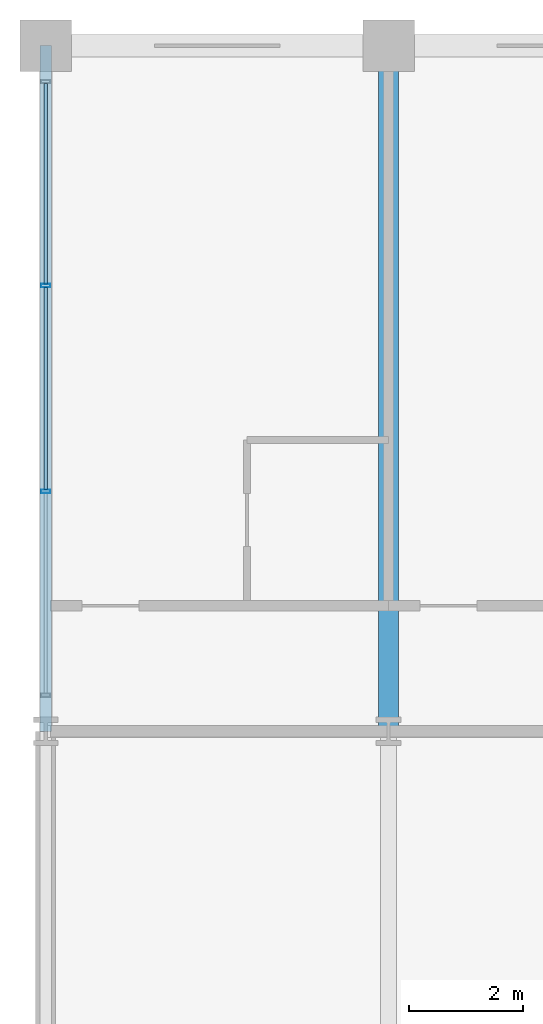
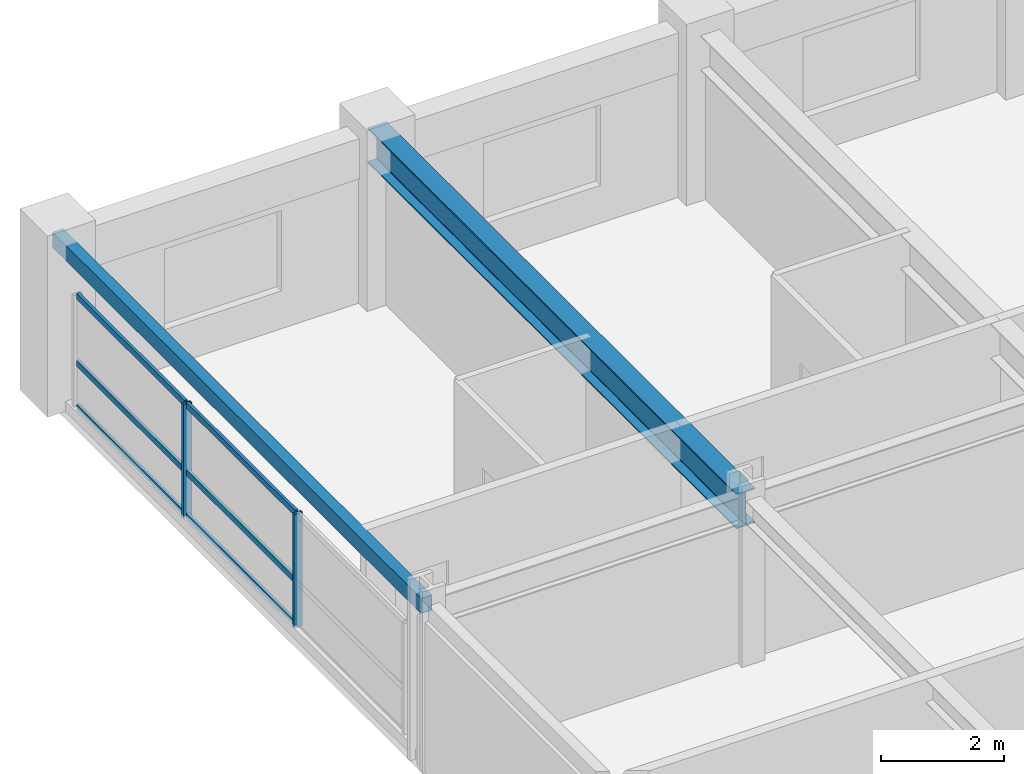
# One storey, part 8 of 22: 8 members, 2 beams, 1 element without a shape of its own.
"""IFC4 building model written with IfcOpenShell, lengths in metres."""

import ifcopenshell
import ifcopenshell.guid

model = None  # the IFC model being written
_history = None  # IfcOwnerHistory: only IFC2X3 demands one
_inside = {}  # id of a spatial element -> (the spatial element, [elements in it])
_under = {}  # id of a project, library or spatial element -> (it, [spatial elements below it])
_declared = {}  # id of a project -> (the project, [libraries it declares])
_typed = {}  # id of a type object -> (the type object, [elements of that type])
_made_of = {}  # id of a material, layer set ... -> (it, [elements and type objects made of it])


def new_model(schema):
    """Start an empty IFC model of exactly this schema.

    Asked for "IFC4X3", IfcOpenShell would pick the latest addendum, in which some entities
    have other attributes; the version numbers below select the first issue.
    IFC2X3 requires an IfcOwnerHistory on every rooted entity: one is made here for all.
    """
    global model, _history
    if schema == "IFC4X3":
        model = ifcopenshell.file(schema_version=(4, 3, 0, 0))
    else:
        model = ifcopenshell.file(schema=schema)
    _inside.clear()
    _under.clear()
    _declared.clear()
    _typed.clear()
    _made_of.clear()
    _history = None
    if model.schema == "IFC2X3":
        org = make("IfcOrganization", Name="unknown")
        user = make(
            "IfcPersonAndOrganization",
            ThePerson=make("IfcPerson", FamilyName="unknown"),
            TheOrganization=org,
        )
        app = make(
            "IfcApplication",
            ApplicationDeveloper=org,
            Version="unknown",
            ApplicationFullName="unknown",
            ApplicationIdentifier="unknown",
        )
        _history = make(
            "IfcOwnerHistory",
            OwningUser=user,
            OwningApplication=app,
            ChangeAction="ADDED",
            CreationDate=0,
        )
    return model


def make(cls, **values):
    """One entity of the class cls with the attributes given. An attribute that is None is left unset."""
    return model.create_entity(
        cls, **{name: value for name, value in values.items() if value is not None}
    )


def rooted(cls, **values):
    """An entity with a GlobalId (a new one), such as an element, a storey or a relation."""
    return make(cls, GlobalId=ifcopenshell.guid.new(), OwnerHistory=_history, **values)


def si_unit(unit_type, name, prefix=None):
    """IfcSIUnit, for example si_unit("LENGTHUNIT", "METRE", prefix="MILLI")."""
    return make("IfcSIUnit", UnitType=unit_type, Prefix=prefix, Name=name)


def assignment(units):
    """IfcUnitAssignment: the units of a project."""
    return None if units is None else make("IfcUnitAssignment", Units=units)


def point(xyz):
    """IfcCartesianPoint."""
    return None if xyz is None else make("IfcCartesianPoint", Coordinates=xyz)


def direction(xyz):
    """IfcDirection."""
    return None if xyz is None else make("IfcDirection", DirectionRatios=xyz)


def frame(location, z_axis=None, x_axis=None):
    """IfcAxis2Placement3D, a coordinate frame: its origin and axes. An axis left out is left unset."""
    return make(
        "IfcAxis2Placement3D",
        Location=point(location),
        Axis=direction(z_axis),
        RefDirection=direction(x_axis),
    )


def frame_2d(location, x_axis=None):
    """IfcAxis2Placement2D, a coordinate frame in the plane: its origin and x axis."""
    return make(
        "IfcAxis2Placement2D", Location=point(location), RefDirection=direction(x_axis)
    )


def origin():
    """The frame at (0, 0, 0) with its axes left unset."""
    return frame((0.0, 0.0, 0.0))


def origin_2d():
    """The frame at (0, 0) in the plane with its x axis left unset."""
    return frame_2d((0.0, 0.0))


def place(relative_to, where):
    """IfcLocalPlacement: puts the frame where relative to a parent placement (None: the world)."""
    return make(
        "IfcLocalPlacement", PlacementRelTo=relative_to, RelativePlacement=where
    )


def context(
    kind, dimensions, precision=None, world=None, true_north=None, identifier=None
):
    """IfcGeometricRepresentationContext, for example the 3D "Model" context."""
    return make(
        "IfcGeometricRepresentationContext",
        ContextIdentifier=identifier,
        ContextType=kind,
        CoordinateSpaceDimension=dimensions,
        Precision=precision,
        WorldCoordinateSystem=world,
        TrueNorth=true_north,
    )


def subcontext(parent, identifier, kind, view, scale=None):
    """IfcGeometricRepresentationSubContext, for example "Body" below "Model"."""
    return make(
        "IfcGeometricRepresentationSubContext",
        ContextIdentifier=identifier,
        ContextType=kind,
        ParentContext=parent,
        TargetScale=scale,
        TargetView=view,
    )


def project(units=None, contexts=None):
    """IfcProject with its units and contexts."""
    return rooted(
        "IfcProject",
        Name="project",
        RepresentationContexts=contexts,
        UnitsInContext=assignment(units),
    )


def spatial(cls, under=None, at=None, **own):
    """A site, building, storey or space (cls), placed at a placement, below another one or the project."""
    s = rooted(cls, ObjectPlacement=at, **own)
    if under is not None:
        _under.setdefault(under.id(), (under, []))[1].append(s)
    return s


def profile(cls, at=None, kind="AREA", **sizes):
    """A parametric profile (cls). Its sizes go by their IFC names, for example OverallWidth=200.0."""
    return make(cls, ProfileType=kind, Position=at, **sizes)


def hollow_rectangle(**sizes):
    """IfcRectangleHollowProfileDef."""
    return profile("IfcRectangleHollowProfileDef", **sizes)


def i_section(**sizes):
    """IfcIShapeProfileDef."""
    return profile("IfcIShapeProfileDef", **sizes)


def extrude(swept, where, along, depth):
    """IfcExtrudedAreaSolid: the profile swept, set in the frame where, extruded along a direction by depth."""
    return make(
        "IfcExtrudedAreaSolid",
        SweptArea=swept,
        Position=where,
        ExtrudedDirection=direction(along),
        Depth=depth,
    )


def shape(context_of_items, identifier, shape_type, items):
    """IfcShapeRepresentation: the items that make up one representation, for example the "Body"."""
    return make(
        "IfcShapeRepresentation",
        ContextOfItems=context_of_items,
        RepresentationIdentifier=identifier,
        RepresentationType=shape_type,
        Items=items,
    )


def material(Name=None, Category=None):
    """IfcMaterial."""
    return make("IfcMaterial", Name=Name, Category=Category)


def material_profile(
    of_material, cross_section, Name=None, Category=None, Priority=None
):
    """IfcMaterialProfile: a cross section and its material."""
    return make(
        "IfcMaterialProfile",
        Name=Name,
        Material=of_material,
        Profile=cross_section,
        Priority=Priority,
        Category=Category,
    )


def profile_set(profiles, Name=None, composite=None):
    """IfcMaterialProfileSet."""
    return make(
        "IfcMaterialProfileSet",
        Name=Name,
        MaterialProfiles=profiles,
        CompositeProfile=composite,
    )


def made_of(thing, what):
    """Note that an element or type object is made of a material, layer set ...; save() writes the relation."""
    if what is not None:
        _made_of.setdefault(what.id(), (what, []))[1].append(thing)
    return thing


def type_object(cls, material=None, **own):
    """A type object (cls), such as IfcWallType, which elements share."""
    return made_of(rooted(cls, **own), material)


def element(
    cls,
    number,
    at=None,
    inside=None,
    cuts=None,
    type_object=None,
    material=None,
    context=None,
    identifier="Body",
    shape_type=None,
    held_by="IfcProductDefinitionShape",
    body=None,
    shapes=None,
    **own,
):
    """One element of the class cls, such as IfcWall. Its Tag is "e" and its number.

    at: its placement. inside: the storey or other place that contains it. cuts: it is an
    opening in that element (IfcRelVoidsElement). A single representation is given by context,
    identifier, shape_type and body (its items); several are given by shapes. held_by: the class
    of the entity that holds the representations. save() writes the other relations.
    """
    e = rooted(cls, Tag="e%d" % number, ObjectPlacement=at, **own)
    if body is not None:
        shapes = [shape(context, identifier, shape_type, body)]
    if shapes is not None:
        e.Representation = make(held_by, Representations=shapes)
    if inside is not None:
        _inside.setdefault(inside.id(), (inside, []))[1].append(e)
    if cuts is not None:
        rooted(
            "IfcRelVoidsElement", RelatingBuildingElement=cuts, RelatedOpeningElement=e
        )
    if type_object is not None:
        _typed.setdefault(type_object.id(), (type_object, []))[1].append(e)
    return made_of(e, material)


def aggregate(whole, parts):
    """IfcRelAggregates: a whole, such as a stair, and the parts it consists of."""
    return rooted("IfcRelAggregates", RelatingObject=whole, RelatedObjects=parts)


def save(model, path):
    """Write the relations noted so far, then the file.

    IfcRelAggregates (storeys below a building ...), IfcRelContainedInSpatialStructure (elements
    in a storey), IfcRelDefinesByType, IfcRelAssociatesMaterial and IfcRelDeclares: one each for
    every whole, place, type object, material and project.
    """
    for whole, parts in _under.values():
        aggregate(whole, parts)
    for where, things in _inside.values():
        rooted(
            "IfcRelContainedInSpatialStructure",
            RelatedElements=things,
            RelatingStructure=where,
        )
    for kind, things in _typed.values():
        rooted("IfcRelDefinesByType", RelatedObjects=things, RelatingType=kind)
    for what, things in _made_of.values():
        rooted("IfcRelAssociatesMaterial", RelatedObjects=things, RelatingMaterial=what)
    for by, libraries in _declared.values():
        rooted("IfcRelDeclares", RelatingContext=by, RelatedDefinitions=libraries)
    model.write(path)


model = new_model("IFC4")

# Units and contexts
model_context = context("Model", 3, precision=1e-05, world=origin(), true_north=direction((0.0, 1.0)))
body_context = subcontext(model_context, "Body", "Model", "MODEL_VIEW")
ifc_project = project(units=[si_unit("LENGTHUNIT", "METRE"), si_unit("AREAUNIT", "SQUARE_METRE"), si_unit("VOLUMEUNIT", "CUBIC_METRE"), si_unit("PLANEANGLEUNIT", "RADIAN"), si_unit("MASSUNIT", "GRAM", prefix="KILO")], contexts=[model_context])

# Site, building, storey
site_placement = place(None, origin())
site = spatial("IfcSite", under=ifc_project, at=site_placement, CompositionType="ELEMENT")
building_placement = place(site_placement, origin())
building = spatial("IfcBuilding", under=site, at=building_placement, Name="Kaldorvane Square Convention Centre", CompositionType="ELEMENT")
storey_placement = place(building_placement, frame((0.0, 0.0, 31.199996948242188)))
storey = spatial("IfcBuildingStorey", under=building, at=storey_placement, Name="L06", CompositionType="ELEMENT", Elevation=31.199996948242188)

# Beams
ifc_material_1 = material(Name="Steel ASTM A992 Gr. 50", Category="steel")
ifc_material_profile_1 = material_profile(ifc_material_1, i_section(OverallWidth=0.354705810546875, OverallDepth=0.69549560546875, WebThickness=0.0153961181640625, FlangeThickness=0.0251007080078125, FilletRadius=0.01519775390625, at=origin_2d()), Name="W27X146")
ifc_profile_set_1 = profile_set([ifc_material_profile_1], Name="Steel ASTM A992 Gr. 50")
beam_type_1 = type_object("IfcBeamType", Name="BM-GR-W27X146", PredefinedType="BEAM", material=ifc_profile_set_1)
beam_1_placement = place(storey_placement, frame((30.0, 105.0, 2.938201904296875), z_axis=(0.0, 1.0, 0.0), x_axis=(-1.0, 0.0, 0.0)))
element("IfcBeam", 1, at=beam_1_placement, inside=storey, type_object=beam_type_1, Name="Transverse Girder (L06)", PredefinedType="BEAM", context=body_context, shape_type="SweptSolid", body=[
    extrude(i_section(OverallWidth=0.354705810546875, OverallDepth=0.69549560546875, WebThickness=0.0153961181640625, FlangeThickness=0.0251007080078125, FilletRadius=0.01519775390625, at=origin_2d()), origin(), (0.0, 0.0, 1.0), 12.0),
])
ifc_material_2 = material(Name="Steel ASTM A500 Gr. C", Category="steel")
ifc_material_profile_2 = material_profile(ifc_material_2, hollow_rectangle(XDim=0.2032012939453125, YDim=0.3047943115234375, WallThickness=0.0088958740234375, at=origin_2d()), Name="HSS12X8X3/8")
ifc_profile_set_2 = profile_set([ifc_material_profile_2], Name="Steel ASTM A500 Gr. C")
beam_type_2 = type_object("IfcBeamType", Name="BM-SP-HSS12", PredefinedType="SPANDREL", material=ifc_profile_set_2)
beam_2_placement = place(storey_placement, frame((24.0, 105.0, 3.13360595703125), z_axis=(0.0, 1.0, 0.0), x_axis=(-1.0, 0.0, 0.0)))
element("IfcBeam", 2, at=beam_2_placement, inside=storey, type_object=beam_type_2, Name="End Spandrel (L06)", PredefinedType="SPANDREL", context=body_context, shape_type="SweptSolid", body=[
    extrude(hollow_rectangle(XDim=0.2032012939453125, YDim=0.3047943115234375, WallThickness=0.0088958740234375, at=origin_2d()), origin(), (0.0, 0.0, 1.0), 12.0),
])

# Curtain wall, members
ifc_material_3 = material(Name="Anodized Aluminum and Low-E Insulated Glazing", Category="aluminium")
curtain_wall_type = type_object("IfcCurtainWallType", Name="CW-UNI-HTL-B", PredefinedType="USERDEFINED", material=ifc_material_3)
curtain_wall_placement = place(storey_placement, origin())
curtain_wall = element("IfcCurtainWall", 3, at=curtain_wall_placement, inside=storey, type_object=curtain_wall_type, Name="Curtain Wall CW-11 (L06)", ObjectType="UNITISED GLAZING", PredefinedType="USERDEFINED")
ifc_material_profile_3 = material_profile(ifc_material_3, hollow_rectangle(XDim=0.05999755859375, YDim=0.160003662109375, WallThickness=0.003204345703125, at=origin_2d()), Name="CWM-160X60")
ifc_profile_set_3 = profile_set([ifc_material_profile_3], Name="Anodized Aluminum and Low-E Insulated Glazing")
member_type_1 = type_object("IfcMemberType", Name="CW-MUL-160", PredefinedType="MULLION", material=ifc_profile_set_3)
member_1_placement = place(storey_placement, frame((24.0, 112.80000305175781, 0.1500091552734375), z_axis=(0.0, 0.0, 1.0), x_axis=(0.0, -1.0, 0.0)))
member_1 = element("IfcMember", 4, at=member_1_placement, type_object=member_type_1, Name="CW-11 mullion 2", PredefinedType="MULLION", context=body_context, shape_type="SweptSolid", body=[
    extrude(hollow_rectangle(XDim=0.05999755859375, YDim=0.160003662109375, WallThickness=0.003204345703125, at=origin_2d()), origin(), (0.0, 0.0, 1.0), 2.2599945068359375),
])
member_2_placement = place(storey_placement, frame((24.0, 109.19999694824219, 0.1500091552734375), z_axis=(0.0, 0.0, 1.0), x_axis=(0.0, -1.0, 0.0)))
member_2 = element("IfcMember", 5, at=member_2_placement, type_object=member_type_1, Name="CW-11 mullion 3", PredefinedType="MULLION", context=body_context, shape_type="SweptSolid", body=[
    extrude(hollow_rectangle(XDim=0.05999755859375, YDim=0.160003662109375, WallThickness=0.003204345703125, at=origin_2d()), origin(), (0.0, 0.0, 1.0), 2.2599945068359375),
])
ifc_material_profile_4 = material_profile(ifc_material_3, hollow_rectangle(XDim=0.05499267578125, YDim=0.1199951171875, WallThickness=0.0030059814453125, at=origin_2d()), Name="CWT-120X55")
ifc_profile_set_4 = profile_set([ifc_material_profile_4], Name="Anodized Aluminum and Low-E Insulated Glazing")
member_type_2 = type_object("IfcMemberType", Name="CW-TRN-120", PredefinedType="USERDEFINED", material=ifc_profile_set_4)
member_3_placement = place(storey_placement, frame((24.0, 116.33999633789062, 0.1775054931640625), z_axis=(0.0, -1.0, 0.0), x_axis=(1.0, 0.0, 0.0)))
member_3 = element("IfcMember", 6, at=member_3_placement, type_object=member_type_2, Name="CW-11 transom 1.1", ObjectType="TRANSOM", PredefinedType="USERDEFINED", context=body_context, shape_type="SweptSolid", body=[
    extrude(hollow_rectangle(XDim=0.05499267578125, YDim=0.1199951171875, WallThickness=0.0030059814453125, at=origin_2d()), origin(), (0.0, 0.0, 1.0), 3.5099945068359375),
])
member_4_placement = place(storey_placement, frame((24.0, 116.33999633789062, 1.0500030517578125), z_axis=(0.0, -1.0, 0.0), x_axis=(1.0, 0.0, 0.0)))
member_4 = element("IfcMember", 7, at=member_4_placement, type_object=member_type_2, Name="CW-11 transom 1.2", ObjectType="TRANSOM", PredefinedType="USERDEFINED", context=body_context, shape_type="SweptSolid", body=[
    extrude(hollow_rectangle(XDim=0.05499267578125, YDim=0.1199951171875, WallThickness=0.0030059814453125, at=origin_2d()), origin(), (0.0, 0.0, 1.0), 3.5099945068359375),
])
member_5_placement = place(storey_placement, frame((24.0, 116.33999633789062, 2.38250732421875), z_axis=(0.0, -1.0, 0.0), x_axis=(1.0, 0.0, 0.0)))
member_5 = element("IfcMember", 8, at=member_5_placement, type_object=member_type_2, Name="CW-11 transom 1.3", ObjectType="TRANSOM", PredefinedType="USERDEFINED", context=body_context, shape_type="SweptSolid", body=[
    extrude(hollow_rectangle(XDim=0.05499267578125, YDim=0.1199951171875, WallThickness=0.0030059814453125, at=origin_2d()), origin(), (0.0, 0.0, 1.0), 3.5099945068359375),
])
member_6_placement = place(storey_placement, frame((24.0, 112.77000427246094, 0.1775054931640625), z_axis=(0.0, -1.0, 0.0), x_axis=(1.0, 0.0, 0.0)))
member_6 = element("IfcMember", 9, at=member_6_placement, type_object=member_type_2, Name="CW-11 transom 2.1", ObjectType="TRANSOM", PredefinedType="USERDEFINED", context=body_context, shape_type="SweptSolid", body=[
    extrude(hollow_rectangle(XDim=0.05499267578125, YDim=0.1199951171875, WallThickness=0.0030059814453125, at=origin_2d()), origin(), (0.0, 0.0, 1.0), 3.540008544921875),
])
member_7_placement = place(storey_placement, frame((24.0, 112.77000427246094, 1.0500030517578125), z_axis=(0.0, -1.0, 0.0), x_axis=(1.0, 0.0, 0.0)))
member_7 = element("IfcMember", 10, at=member_7_placement, type_object=member_type_2, Name="CW-11 transom 2.2", ObjectType="TRANSOM", PredefinedType="USERDEFINED", context=body_context, shape_type="SweptSolid", body=[
    extrude(hollow_rectangle(XDim=0.05499267578125, YDim=0.1199951171875, WallThickness=0.0030059814453125, at=origin_2d()), origin(), (0.0, 0.0, 1.0), 3.540008544921875),
])
member_8_placement = place(storey_placement, frame((24.0, 112.77000427246094, 2.38250732421875), z_axis=(0.0, -1.0, 0.0), x_axis=(1.0, 0.0, 0.0)))
member_8 = element("IfcMember", 11, at=member_8_placement, type_object=member_type_2, Name="CW-11 transom 2.3", ObjectType="TRANSOM", PredefinedType="USERDEFINED", context=body_context, shape_type="SweptSolid", body=[
    extrude(hollow_rectangle(XDim=0.05499267578125, YDim=0.1199951171875, WallThickness=0.0030059814453125, at=origin_2d()), origin(), (0.0, 0.0, 1.0), 3.540008544921875),
])
aggregate(curtain_wall, [member_1, member_2, member_3, member_4, member_5, member_6, member_7, member_8])

save(model, "model.ifc")
